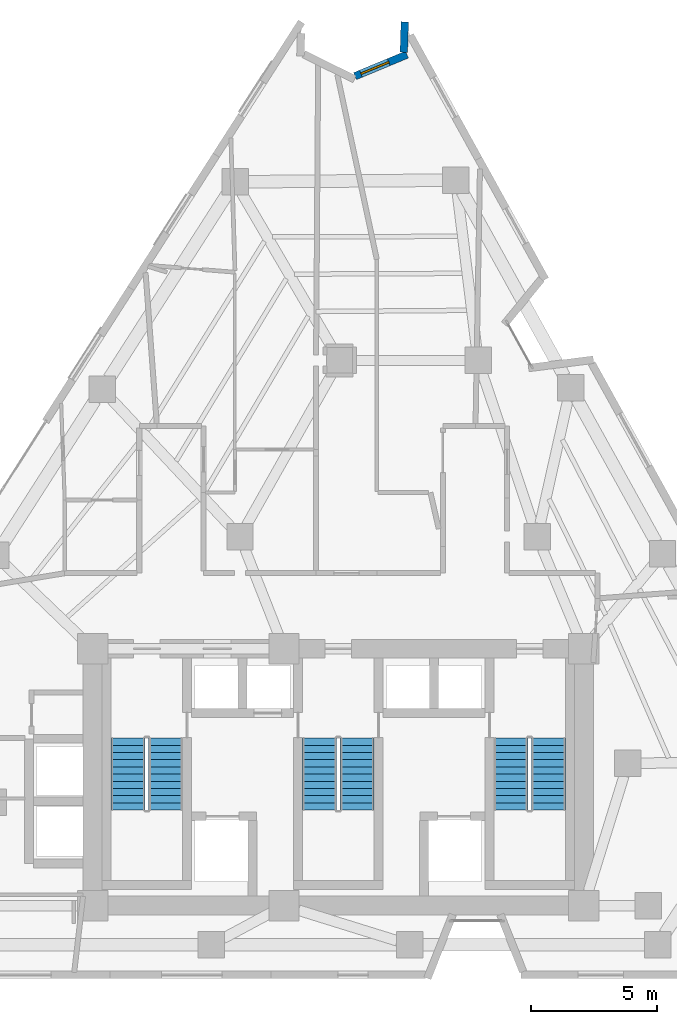
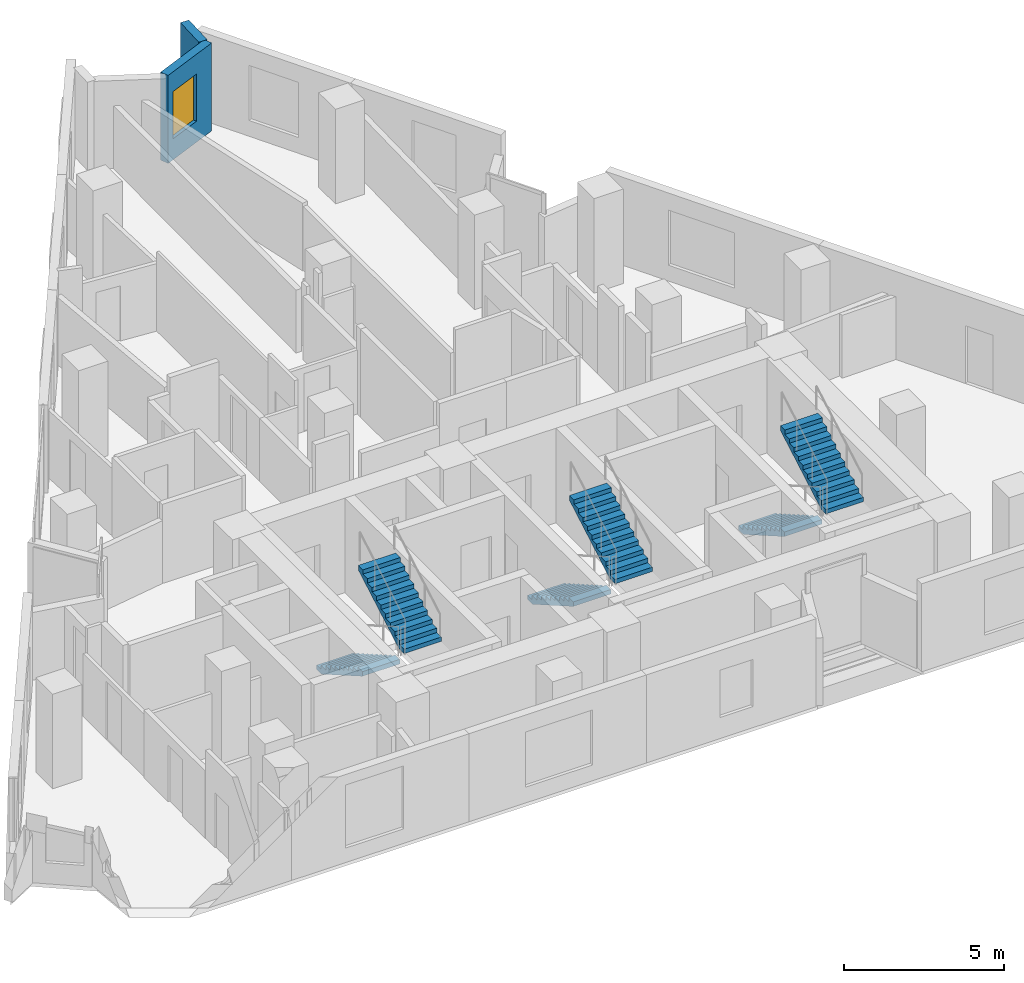
# One storey, part 9 of 11: 6 stair flights, 2 walls, 1 window, 1 opening, 3 elements without a shape of their own.
"""IFC4 building model written with IfcOpenShell, lengths in metres."""

import ifcopenshell
import ifcopenshell.guid

model = None  # the IFC model being written
_history = None  # IfcOwnerHistory: only IFC2X3 demands one
_inside = {}  # id of a spatial element -> (the spatial element, [elements in it])
_under = {}  # id of a project, library or spatial element -> (it, [spatial elements below it])
_declared = {}  # id of a project -> (the project, [libraries it declares])
_typed = {}  # id of a type object -> (the type object, [elements of that type])
_made_of = {}  # id of a material, layer set ... -> (it, [elements and type objects made of it])


def new_model(schema):
    """Start an empty IFC model of exactly this schema.

    Asked for "IFC4X3", IfcOpenShell would pick the latest addendum, in which some entities
    have other attributes; the version numbers below select the first issue.
    IFC2X3 requires an IfcOwnerHistory on every rooted entity: one is made here for all.
    """
    global model, _history
    if schema == "IFC4X3":
        model = ifcopenshell.file(schema_version=(4, 3, 0, 0))
    else:
        model = ifcopenshell.file(schema=schema)
    _inside.clear()
    _under.clear()
    _declared.clear()
    _typed.clear()
    _made_of.clear()
    _history = None
    if model.schema == "IFC2X3":
        org = make("IfcOrganization", Name="unknown")
        user = make(
            "IfcPersonAndOrganization",
            ThePerson=make("IfcPerson", FamilyName="unknown"),
            TheOrganization=org,
        )
        app = make(
            "IfcApplication",
            ApplicationDeveloper=org,
            Version="unknown",
            ApplicationFullName="unknown",
            ApplicationIdentifier="unknown",
        )
        _history = make(
            "IfcOwnerHistory",
            OwningUser=user,
            OwningApplication=app,
            ChangeAction="ADDED",
            CreationDate=0,
        )
    return model


def make(cls, **values):
    """One entity of the class cls with the attributes given. An attribute that is None is left unset."""
    return model.create_entity(
        cls, **{name: value for name, value in values.items() if value is not None}
    )


def rooted(cls, **values):
    """An entity with a GlobalId (a new one), such as an element, a storey or a relation."""
    return make(cls, GlobalId=ifcopenshell.guid.new(), OwnerHistory=_history, **values)


def si_unit(unit_type, name, prefix=None):
    """IfcSIUnit, for example si_unit("LENGTHUNIT", "METRE", prefix="MILLI")."""
    return make("IfcSIUnit", UnitType=unit_type, Prefix=prefix, Name=name)


def assignment(units):
    """IfcUnitAssignment: the units of a project."""
    return None if units is None else make("IfcUnitAssignment", Units=units)


def point(xyz):
    """IfcCartesianPoint."""
    return None if xyz is None else make("IfcCartesianPoint", Coordinates=xyz)


def direction(xyz):
    """IfcDirection."""
    return None if xyz is None else make("IfcDirection", DirectionRatios=xyz)


def frame(location, z_axis=None, x_axis=None):
    """IfcAxis2Placement3D, a coordinate frame: its origin and axes. An axis left out is left unset."""
    return make(
        "IfcAxis2Placement3D",
        Location=point(location),
        Axis=direction(z_axis),
        RefDirection=direction(x_axis),
    )


def frame_2d(location, x_axis=None):
    """IfcAxis2Placement2D, a coordinate frame in the plane: its origin and x axis."""
    return make(
        "IfcAxis2Placement2D", Location=point(location), RefDirection=direction(x_axis)
    )


def origin():
    """The frame at (0, 0, 0) with its axes left unset."""
    return frame((0.0, 0.0, 0.0))


def place(relative_to, where):
    """IfcLocalPlacement: puts the frame where relative to a parent placement (None: the world)."""
    return make(
        "IfcLocalPlacement", PlacementRelTo=relative_to, RelativePlacement=where
    )


def context(
    kind, dimensions, precision=None, world=None, true_north=None, identifier=None
):
    """IfcGeometricRepresentationContext, for example the 3D "Model" context."""
    return make(
        "IfcGeometricRepresentationContext",
        ContextIdentifier=identifier,
        ContextType=kind,
        CoordinateSpaceDimension=dimensions,
        Precision=precision,
        WorldCoordinateSystem=world,
        TrueNorth=true_north,
    )


def subcontext(parent, identifier, kind, view, scale=None):
    """IfcGeometricRepresentationSubContext, for example "Body" below "Model"."""
    return make(
        "IfcGeometricRepresentationSubContext",
        ContextIdentifier=identifier,
        ContextType=kind,
        ParentContext=parent,
        TargetScale=scale,
        TargetView=view,
    )


def project(units=None, contexts=None):
    """IfcProject with its units and contexts."""
    return rooted(
        "IfcProject",
        Name="project",
        RepresentationContexts=contexts,
        UnitsInContext=assignment(units),
    )


def spatial(cls, under=None, at=None, **own):
    """A site, building, storey or space (cls), placed at a placement, below another one or the project."""
    s = rooted(cls, ObjectPlacement=at, **own)
    if under is not None:
        _under.setdefault(under.id(), (under, []))[1].append(s)
    return s


def polyline(points):
    """IfcPolyline through the points."""
    return make("IfcPolyline", Points=[point(p) for p in points])


def profile(cls, at=None, kind="AREA", **sizes):
    """A parametric profile (cls). Its sizes go by their IFC names, for example OverallWidth=200.0."""
    return make(cls, ProfileType=kind, Position=at, **sizes)


def rectangle(**sizes):
    """IfcRectangleProfileDef."""
    return profile("IfcRectangleProfileDef", **sizes)


def outline(outer, holes=None, kind="AREA"):
    """IfcArbitraryClosedProfileDef: a profile drawn as a closed curve; with holes, ...WithVoids."""
    if holes is None:
        return make("IfcArbitraryClosedProfileDef", ProfileType=kind, OuterCurve=outer)
    return make(
        "IfcArbitraryProfileDefWithVoids",
        ProfileType=kind,
        OuterCurve=outer,
        InnerCurves=holes,
    )


def extrude(swept, where, along, depth):
    """IfcExtrudedAreaSolid: the profile swept, set in the frame where, extruded along a direction by depth."""
    return make(
        "IfcExtrudedAreaSolid",
        SweptArea=swept,
        Position=where,
        ExtrudedDirection=direction(along),
        Depth=depth,
    )


def shape(context_of_items, identifier, shape_type, items):
    """IfcShapeRepresentation: the items that make up one representation, for example the "Body"."""
    return make(
        "IfcShapeRepresentation",
        ContextOfItems=context_of_items,
        RepresentationIdentifier=identifier,
        RepresentationType=shape_type,
        Items=items,
    )


def material(Name=None, Category=None):
    """IfcMaterial."""
    return make("IfcMaterial", Name=Name, Category=Category)


def layer(
    of_material, thickness, ventilated=None, Name=None, Category=None, Priority=None
):
    """IfcMaterialLayer: one layer of a wall or slab, of a material (None: an air gap)."""
    return make(
        "IfcMaterialLayer",
        Material=of_material,
        LayerThickness=thickness,
        IsVentilated=ventilated,
        Name=Name,
        Category=Category,
        Priority=Priority,
    )


def layer_set(layers, Name=None):
    """IfcMaterialLayerSet."""
    return make("IfcMaterialLayerSet", MaterialLayers=layers, LayerSetName=Name)


def made_of(thing, what):
    """Note that an element or type object is made of a material, layer set ...; save() writes the relation."""
    if what is not None:
        _made_of.setdefault(what.id(), (what, []))[1].append(thing)
    return thing


def type_object(cls, material=None, **own):
    """A type object (cls), such as IfcWallType, which elements share."""
    return made_of(rooted(cls, **own), material)


def element(
    cls,
    number,
    at=None,
    inside=None,
    cuts=None,
    type_object=None,
    material=None,
    context=None,
    identifier="Body",
    shape_type=None,
    held_by="IfcProductDefinitionShape",
    body=None,
    shapes=None,
    **own,
):
    """One element of the class cls, such as IfcWall. Its Tag is "e" and its number.

    at: its placement. inside: the storey or other place that contains it. cuts: it is an
    opening in that element (IfcRelVoidsElement). A single representation is given by context,
    identifier, shape_type and body (its items); several are given by shapes. held_by: the class
    of the entity that holds the representations. save() writes the other relations.
    """
    e = rooted(cls, Tag="e%d" % number, ObjectPlacement=at, **own)
    if body is not None:
        shapes = [shape(context, identifier, shape_type, body)]
    if shapes is not None:
        e.Representation = make(held_by, Representations=shapes)
    if inside is not None:
        _inside.setdefault(inside.id(), (inside, []))[1].append(e)
    if cuts is not None:
        rooted(
            "IfcRelVoidsElement", RelatingBuildingElement=cuts, RelatedOpeningElement=e
        )
    if type_object is not None:
        _typed.setdefault(type_object.id(), (type_object, []))[1].append(e)
    return made_of(e, material)


def fill(opening, filler):
    """IfcRelFillsElement: the door or window that sits in an opening."""
    return rooted(
        "IfcRelFillsElement",
        RelatingOpeningElement=opening,
        RelatedBuildingElement=filler,
    )


def aggregate(whole, parts):
    """IfcRelAggregates: a whole, such as a stair, and the parts it consists of."""
    return rooted("IfcRelAggregates", RelatingObject=whole, RelatedObjects=parts)


def save(model, path):
    """Write the relations noted so far, then the file.

    IfcRelAggregates (storeys below a building ...), IfcRelContainedInSpatialStructure (elements
    in a storey), IfcRelDefinesByType, IfcRelAssociatesMaterial and IfcRelDeclares: one each for
    every whole, place, type object, material and project.
    """
    for whole, parts in _under.values():
        aggregate(whole, parts)
    for where, things in _inside.values():
        rooted(
            "IfcRelContainedInSpatialStructure",
            RelatedElements=things,
            RelatingStructure=where,
        )
    for kind, things in _typed.values():
        rooted("IfcRelDefinesByType", RelatedObjects=things, RelatingType=kind)
    for what, things in _made_of.values():
        rooted("IfcRelAssociatesMaterial", RelatedObjects=things, RelatingMaterial=what)
    for by, libraries in _declared.values():
        rooted("IfcRelDeclares", RelatingContext=by, RelatedDefinitions=libraries)
    model.write(path)


model = new_model("IFC4")

# Units and contexts
model_context = context("Model", 3, precision=1e-05, world=origin(), true_north=direction((0.0, 1.0)))
body_context = subcontext(model_context, "Body", "Model", "MODEL_VIEW")
ifc_project = project(units=[si_unit("LENGTHUNIT", "METRE"), si_unit("AREAUNIT", "SQUARE_METRE"), si_unit("VOLUMEUNIT", "CUBIC_METRE"), si_unit("PLANEANGLEUNIT", "RADIAN"), si_unit("MASSUNIT", "GRAM", prefix="KILO")], contexts=[model_context])

# Site, building, storey
site_placement = place(None, origin())
site = spatial("IfcSite", under=ifc_project, at=site_placement, CompositionType="ELEMENT")
building_placement = place(site_placement, origin())
building = spatial("IfcBuilding", under=site, at=building_placement, Name="Almagre Mirador Tower", CompositionType="ELEMENT")
storey_placement = place(building_placement, frame((0.0, 0.0, 157.199951171875)))
storey = spatial("IfcBuildingStorey", under=building, at=storey_placement, Name="L40", CompositionType="ELEMENT", Elevation=157.199951171875)

# Wall, opening, window
ifc_material_1 = material(Name="Precast concrete C50/60", Category="concrete")
ifc_layer = layer(ifc_material_1, 0.300048828125)
ifc_layer_set = layer_set([ifc_layer], Name="Precast concrete C50/60")
wall_type = type_object("IfcWallType", Name="WAL-EXT-300", PredefinedType="SOLIDWALL", material=ifc_layer_set)
wall_1_placement = place(storey_placement, frame((37.96484375, 37.483154296875, 0.0), z_axis=(0.0, 0.0, 1.0), x_axis=(0.923541991646, 0.383497313766, 0.0)))
wall_1 = element("IfcWall", 1, at=wall_1_placement, inside=storey, type_object=wall_type, Name="L40 expressed almagre precast frame wall 08", PredefinedType="SOLIDWALL", context=body_context, shape_type="SweptSolid", body=[
    extrude(rectangle(XDim=2.233154296875, YDim=0.300048828125, at=frame_2d((1.11669921875, 0.0))), origin(), (0.0, 0.0, 1.0), 3.35009765625),
])
opening_placement = place(wall_1_placement, frame((0.2529296875, 0.0, 0.800048828125)))
opening = element("IfcOpeningElement", 2, at=opening_placement, cuts=wall_1, Name="Opening WN-04", PredefinedType="OPENING", context=body_context, shape_type="SweptSolid", body=[
    extrude(rectangle(XDim=1.199951171875, YDim=1.800048828125, at=frame_2d((0.60009765625, 0.89990234375))), frame((0.0, 0.159902, 0.0), z_axis=(0.0, -1.0, 0.0), x_axis=(1.0, 0.0, 0.0)), (0.0, 0.0, 1.0), 0.320049),
])
ifc_material_2 = material(Name="Dark solar-control laminated hurricane glass", Category="glass")
window_type = type_object("IfcWindowType", Name="WIN-1200X1800", PartitioningType="SINGLE_PANEL", PredefinedType="WINDOW", material=ifc_material_2)
window_placement = place(opening_placement, origin())
window = element("IfcWindow", 3, at=window_placement, inside=storey, type_object=window_type, Name="L40 recessed hurricane window L40-RST-H", OverallHeight=1.800048828125, OverallWidth=1.199951171875, PartitioningType="SINGLE_PANEL", PredefinedType="WINDOW", context=body_context, shape_type="SweptSolid", body=[
    extrude(rectangle(XDim=1.199951171875, YDim=1.800048828125, at=frame_2d((0.60009765625, 0.89990234375))), frame((0.0, 0.030029296875, 0.0), z_axis=(0.0, -1.0, 0.0), x_axis=(1.0, 0.0, 0.0)), (0.0, 0.0, 1.0), 0.06005859375),
])
fill(opening, window)

# Wall
wall_2_placement = place(storey_placement, frame((39.902587890625, 38.430908203125, 0.0), z_axis=(0.0, 0.0, 1.0), x_axis=(0.032091701063, 0.999484928712, 0.0)))
element("IfcWall", 4, at=wall_2_placement, inside=storey, type_object=wall_type, Name="L40 expressed almagre precast frame wall 09", PredefinedType="SOLIDWALL", context=body_context, shape_type="SweptSolid", body=[
    extrude(rectangle(XDim=1.209716796875, YDim=0.300048828125, at=frame_2d((0.60498046875, 0.0))), origin(), (0.0, 0.0, 1.0), 3.35009765625),
])

# Stair, stair flights
ifc_material_3 = material(Name="Concrete C45/55", Category="concrete")
stair_type = type_object("IfcStairType", Name="STR-DL-3600", PredefinedType="HALF_TURN_STAIR", material=ifc_material_3)
stair_1_placement = place(storey_placement, origin())
stair_1 = element("IfcStair", 5, at=stair_1_placement, inside=storey, type_object=stair_type, Name="L40 Protected exit stair ST-1", PredefinedType="HALF_TURN_STAIR")
ifc_material_4 = material(Name="Concrete C45/55", Category="concrete")
stair_flight_type = type_object("IfcStairFlightType", Name="FLT-DL-3600", PredefinedType="STRAIGHT", material=ifc_material_4)
stair_flight_1_placement = place(storey_placement, frame((28.949951171875, 11.199951171875, 0.0), z_axis=(0.0, 0.0, 1.0), x_axis=(0.0, -1.0, 0.0)))
stair_flight_1 = element("IfcStairFlight", 6, at=stair_flight_1_placement, type_object=stair_flight_type, Name="ST-1 flight 1", NumberOfRisers=11, NumberOfTreads=10, PredefinedType="STRAIGHT", RiserHeight=0.163636364, TreadLength=0.285, context=body_context, shape_type="SweptSolid", body=[
    extrude(outline(polyline([(0.0, 0.0), (0.0, 0.16357421875), (0.284912109375, 0.16357421875), (0.284912109375, 0.327392578125), (0.570068359375, 0.327392578125), (0.570068359375, 0.490966796875), (0.85498046875, 0.490966796875), (0.85498046875, 0.654541015625), (1.139892578125, 0.654541015625), (1.139892578125, 0.818115234375), (1.425048828125, 0.818115234375), (1.425048828125, 0.98193359375), (1.7099609375, 0.98193359375), (1.7099609375, 1.1455078125), (1.9951171875, 1.1455078125), (1.9951171875, 1.30908203125), (2.280029296875, 1.30908203125), (2.280029296875, 1.47265625), (2.56494140625, 1.47265625), (2.56494140625, 1.636474609375), (2.85009765625, 1.636474609375), (2.85009765625, 1.800048828125), (2.85009765625, 1.463623046875), (0.301025390625, 0.0), (0.0, 0.0)])), frame((0.0, 0.675048828125, 0.0), z_axis=(0.0, -1.0, 0.0), x_axis=(1.0, 0.0, 0.0)), (0.0, 0.0, 1.0), 1.35009765625),
])
stair_flight_2_placement = place(storey_placement, frame((30.449951171875, 8.35009765625, 1.800048828125), z_axis=(0.0, 0.0, 1.0), x_axis=(0.0, 1.0, 0.0)))
stair_flight_2 = element("IfcStairFlight", 7, at=stair_flight_2_placement, type_object=stair_flight_type, Name="ST-1 flight 2", NumberOfRisers=11, NumberOfTreads=10, PredefinedType="STRAIGHT", RiserHeight=0.163636364, TreadLength=0.285, context=body_context, shape_type="SweptSolid", body=[
    extrude(outline(polyline([(0.0, 0.0), (0.0, 0.16357421875), (0.284912109375, 0.16357421875), (0.284912109375, 0.327392578125), (0.570068359375, 0.327392578125), (0.570068359375, 0.490966796875), (0.85498046875, 0.490966796875), (0.85498046875, 0.654541015625), (1.139892578125, 0.654541015625), (1.139892578125, 0.818115234375), (1.425048828125, 0.818115234375), (1.425048828125, 0.98193359375), (1.7099609375, 0.98193359375), (1.7099609375, 1.1455078125), (1.9951171875, 1.1455078125), (1.9951171875, 1.30908203125), (2.280029296875, 1.30908203125), (2.280029296875, 1.47265625), (2.56494140625, 1.47265625), (2.56494140625, 1.636474609375), (2.85009765625, 1.636474609375), (2.85009765625, 1.800048828125), (2.85009765625, 1.463623046875), (0.301025390625, 0.0), (0.0, 0.0)])), frame((0.0, 0.675048828125, 0.0), z_axis=(0.0, -1.0, 0.0), x_axis=(1.0, 0.0, 0.0)), (0.0, 0.0, 1.0), 1.35009765625),
])
aggregate(stair_1, [stair_flight_1, stair_flight_2])

stair_2_placement = place(storey_placement, origin())
stair_2 = element("IfcStair", 8, at=stair_2_placement, inside=storey, type_object=stair_type, Name="L40 Protected exit stair ST-2", PredefinedType="HALF_TURN_STAIR")
stair_flight_3_placement = place(storey_placement, frame((36.550048828125, 11.199951171875, 0.0), z_axis=(0.0, 0.0, 1.0), x_axis=(0.0, -1.0, 0.0)))
stair_flight_3 = element("IfcStairFlight", 9, at=stair_flight_3_placement, type_object=stair_flight_type, Name="ST-2 flight 1", NumberOfRisers=11, NumberOfTreads=10, PredefinedType="STRAIGHT", RiserHeight=0.163636364, TreadLength=0.285, context=body_context, shape_type="SweptSolid", body=[
    extrude(outline(polyline([(0.0, 0.0), (0.0, 0.16357421875), (0.284912109375, 0.16357421875), (0.284912109375, 0.327392578125), (0.570068359375, 0.327392578125), (0.570068359375, 0.490966796875), (0.85498046875, 0.490966796875), (0.85498046875, 0.654541015625), (1.139892578125, 0.654541015625), (1.139892578125, 0.818115234375), (1.425048828125, 0.818115234375), (1.425048828125, 0.98193359375), (1.7099609375, 0.98193359375), (1.7099609375, 1.1455078125), (1.9951171875, 1.1455078125), (1.9951171875, 1.30908203125), (2.280029296875, 1.30908203125), (2.280029296875, 1.47265625), (2.56494140625, 1.47265625), (2.56494140625, 1.636474609375), (2.85009765625, 1.636474609375), (2.85009765625, 1.800048828125), (2.85009765625, 1.463623046875), (0.301025390625, 0.0), (0.0, 0.0)])), frame((0.0, 0.675048828125, 0.0), z_axis=(0.0, -1.0, 0.0), x_axis=(1.0, 0.0, 0.0)), (0.0, 0.0, 1.0), 1.35009765625),
])
stair_flight_4_placement = place(storey_placement, frame((38.050048828125, 8.35009765625, 1.800048828125), z_axis=(0.0, 0.0, 1.0), x_axis=(0.0, 1.0, 0.0)))
stair_flight_4 = element("IfcStairFlight", 10, at=stair_flight_4_placement, type_object=stair_flight_type, Name="ST-2 flight 2", NumberOfRisers=11, NumberOfTreads=10, PredefinedType="STRAIGHT", RiserHeight=0.163636364, TreadLength=0.285, context=body_context, shape_type="SweptSolid", body=[
    extrude(outline(polyline([(0.0, 0.0), (0.0, 0.16357421875), (0.284912109375, 0.16357421875), (0.284912109375, 0.327392578125), (0.570068359375, 0.327392578125), (0.570068359375, 0.490966796875), (0.85498046875, 0.490966796875), (0.85498046875, 0.654541015625), (1.139892578125, 0.654541015625), (1.139892578125, 0.818115234375), (1.425048828125, 0.818115234375), (1.425048828125, 0.98193359375), (1.7099609375, 0.98193359375), (1.7099609375, 1.1455078125), (1.9951171875, 1.1455078125), (1.9951171875, 1.30908203125), (2.280029296875, 1.30908203125), (2.280029296875, 1.47265625), (2.56494140625, 1.47265625), (2.56494140625, 1.636474609375), (2.85009765625, 1.636474609375), (2.85009765625, 1.800048828125), (2.85009765625, 1.463623046875), (0.301025390625, 0.0), (0.0, 0.0)])), frame((0.0, 0.675048828125, 0.0), z_axis=(0.0, -1.0, 0.0), x_axis=(1.0, 0.0, 0.0)), (0.0, 0.0, 1.0), 1.35009765625),
])
aggregate(stair_2, [stair_flight_3, stair_flight_4])

stair_3_placement = place(storey_placement, origin())
stair_3 = element("IfcStair", 11, at=stair_3_placement, inside=storey, type_object=stair_type, Name="L40 Protected exit stair ST-3", PredefinedType="HALF_TURN_STAIR")
stair_flight_5_placement = place(storey_placement, frame((44.14990234375, 11.199951171875, 0.0), z_axis=(0.0, 0.0, 1.0), x_axis=(0.0, -1.0, 0.0)))
stair_flight_5 = element("IfcStairFlight", 12, at=stair_flight_5_placement, type_object=stair_flight_type, Name="ST-3 flight 1", NumberOfRisers=11, NumberOfTreads=10, PredefinedType="STRAIGHT", RiserHeight=0.163636364, TreadLength=0.285, context=body_context, shape_type="SweptSolid", body=[
    extrude(outline(polyline([(0.0, 0.0), (0.0, 0.16357421875), (0.284912109375, 0.16357421875), (0.284912109375, 0.327392578125), (0.570068359375, 0.327392578125), (0.570068359375, 0.490966796875), (0.85498046875, 0.490966796875), (0.85498046875, 0.654541015625), (1.139892578125, 0.654541015625), (1.139892578125, 0.818115234375), (1.425048828125, 0.818115234375), (1.425048828125, 0.98193359375), (1.7099609375, 0.98193359375), (1.7099609375, 1.1455078125), (1.9951171875, 1.1455078125), (1.9951171875, 1.30908203125), (2.280029296875, 1.30908203125), (2.280029296875, 1.47265625), (2.56494140625, 1.47265625), (2.56494140625, 1.636474609375), (2.85009765625, 1.636474609375), (2.85009765625, 1.800048828125), (2.85009765625, 1.463623046875), (0.301025390625, 0.0), (0.0, 0.0)])), frame((0.0, 0.675048828125, 0.0), z_axis=(0.0, -1.0, 0.0), x_axis=(1.0, 0.0, 0.0)), (0.0, 0.0, 1.0), 1.35009765625),
])
stair_flight_6_placement = place(storey_placement, frame((45.64990234375, 8.35009765625, 1.800048828125), z_axis=(0.0, 0.0, 1.0), x_axis=(0.0, 1.0, 0.0)))
stair_flight_6 = element("IfcStairFlight", 13, at=stair_flight_6_placement, type_object=stair_flight_type, Name="ST-3 flight 2", NumberOfRisers=11, NumberOfTreads=10, PredefinedType="STRAIGHT", RiserHeight=0.163636364, TreadLength=0.285, context=body_context, shape_type="SweptSolid", body=[
    extrude(outline(polyline([(0.0, 0.0), (0.0, 0.16357421875), (0.284912109375, 0.16357421875), (0.284912109375, 0.327392578125), (0.570068359375, 0.327392578125), (0.570068359375, 0.490966796875), (0.85498046875, 0.490966796875), (0.85498046875, 0.654541015625), (1.139892578125, 0.654541015625), (1.139892578125, 0.818115234375), (1.425048828125, 0.818115234375), (1.425048828125, 0.98193359375), (1.7099609375, 0.98193359375), (1.7099609375, 1.1455078125), (1.9951171875, 1.1455078125), (1.9951171875, 1.30908203125), (2.280029296875, 1.30908203125), (2.280029296875, 1.47265625), (2.56494140625, 1.47265625), (2.56494140625, 1.636474609375), (2.85009765625, 1.636474609375), (2.85009765625, 1.800048828125), (2.85009765625, 1.463623046875), (0.301025390625, 0.0), (0.0, 0.0)])), frame((0.0, 0.675048828125, 0.0), z_axis=(0.0, -1.0, 0.0), x_axis=(1.0, 0.0, 0.0)), (0.0, 0.0, 1.0), 1.35009765625),
])
aggregate(stair_3, [stair_flight_5, stair_flight_6])

save(model, "model.ifc")
